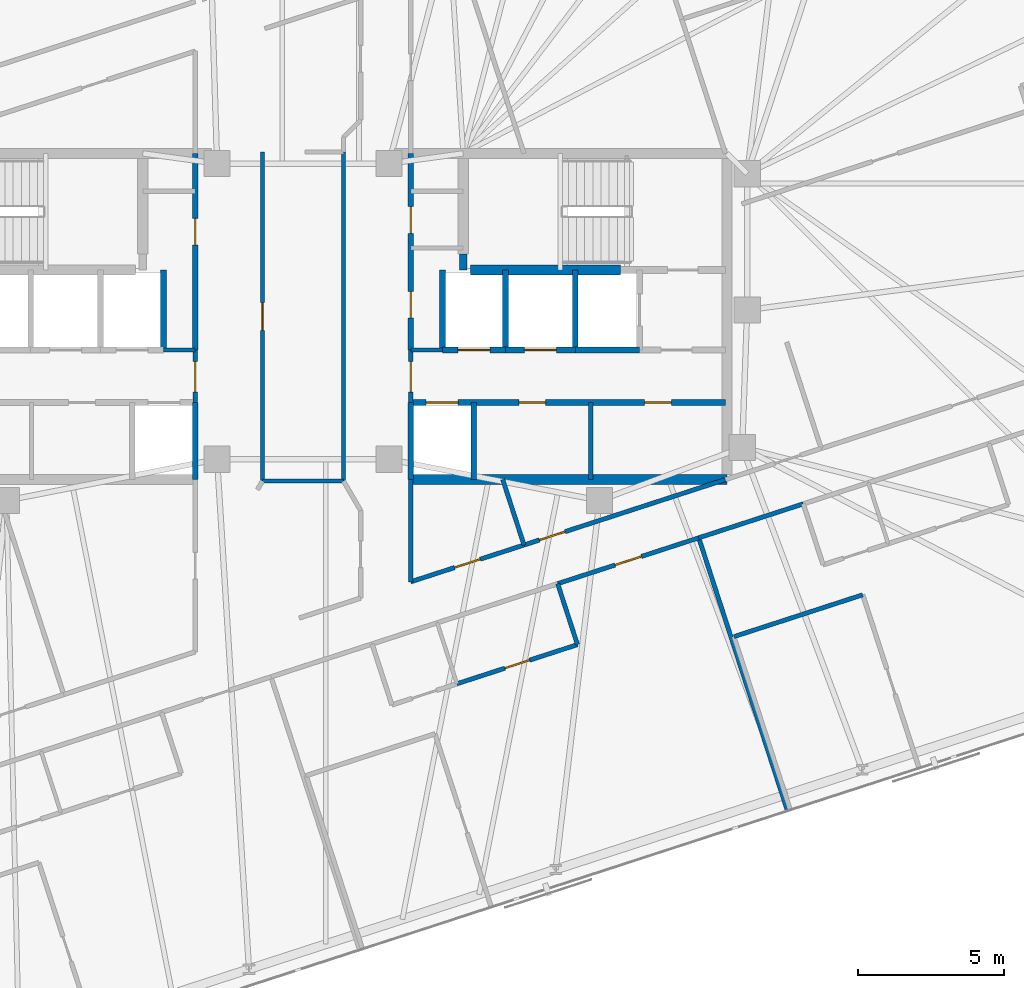
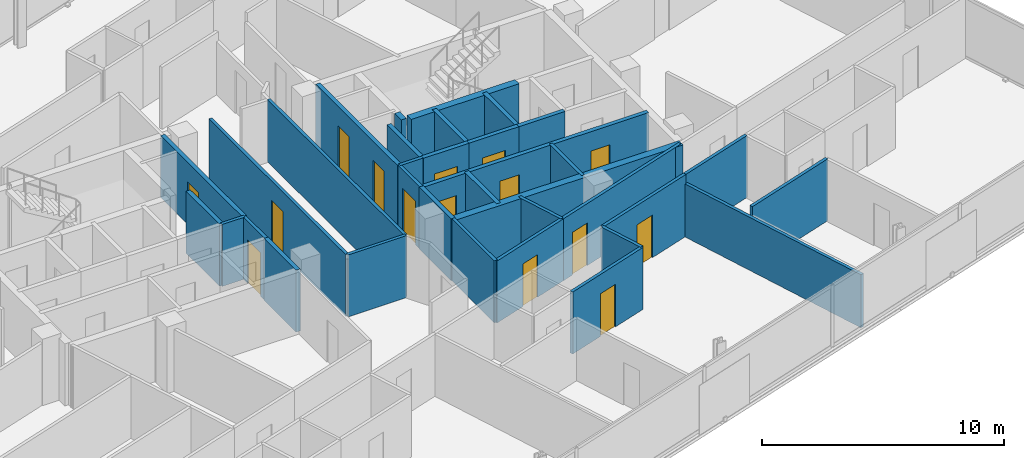
# One storey, part 15 of 19: 34 walls, 15 doors, 15 openings.
"""IFC4 building model written with IfcOpenShell, lengths in metres."""

from ifc_helpers import new_model, si_unit, direction, frame, frame_2d, origin, place, context, subcontext, project, spatial, rectangle, extrude, material, layer, layer_set, type_object, element, fill, save


model = new_model("IFC4")

# Units and contexts
model_context = context("Model", 3, precision=1e-05, world=origin(), true_north=direction((0.0, 1.0)))
body_context = subcontext(model_context, "Body", "Model", "MODEL_VIEW")
ifc_project = project(units=[si_unit("LENGTHUNIT", "METRE"), si_unit("AREAUNIT", "SQUARE_METRE"), si_unit("VOLUMEUNIT", "CUBIC_METRE"), si_unit("PLANEANGLEUNIT", "RADIAN"), si_unit("MASSUNIT", "GRAM", prefix="KILO")], contexts=[model_context])

# Site, building, storey
site_placement = place(None, origin())
site = spatial("IfcSite", under=ifc_project, at=site_placement, CompositionType="ELEMENT")
building_placement = place(site_placement, origin())
building = spatial("IfcBuilding", under=site, at=building_placement, Name="Menara Jurai Vektor", CompositionType="ELEMENT")
storey_placement = place(building_placement, frame((0.0, 0.0, 241.050048828125)))
storey = spatial("IfcBuildingStorey", under=building, at=storey_placement, Name="L64", CompositionType="ELEMENT", Elevation=241.050048828125)

# Walls
ifc_material_1 = material(Name="Concrete C40/50", Category="concrete")
ifc_layer_1 = layer(ifc_material_1, 0.25)
ifc_layer_set_1 = layer_set([ifc_layer_1], Name="Concrete C40/50")
wall_type_1 = type_object("IfcWallType", Name="INT-WALL-CORE-250", PredefinedType="STANDARD", material=ifc_layer_set_1)
wall_1_placement = place(storey_placement, frame((5.5, 1.60009765625, 0.0), z_axis=(0.0, 0.0, 1.0), x_axis=(0.0, 1.0, 0.0)))
element("IfcWall", 1, at=wall_1_placement, inside=storey, type_object=wall_type_1, Name="Interior Wall IW-250 L64", PredefinedType="STANDARD", context=body_context, shape_type="SweptSolid", body=[
    extrude(rectangle(XDim=0.5498046875, YDim=0.25, at=frame_2d((0.27490234375, 0.0))), origin(), (0.0, 0.0, 1.0), 3.125),
])
wall_2_placement = place(storey_placement, frame((9.35009765625, -1.14990234375, 0.0), z_axis=(0.0, 0.0, 1.0), x_axis=(0.0, 1.0, 0.0)))
element("IfcWall", 2, at=wall_2_placement, inside=storey, type_object=wall_type_1, Name="Interior Wall IW-250 L64", PredefinedType="STANDARD", context=body_context, shape_type="SweptSolid", body=[
    extrude(rectangle(XDim=2.75, YDim=0.199951171875, at=frame_2d((1.375, 0.0))), origin(), (0.0, 0.0, 1.0), 3.125),
])
wall_3_placement = place(storey_placement, frame((9.35009765625, -1.14990234375, 0.0), z_axis=(0.0, 0.0, 1.0), x_axis=(1.0, 0.0, 0.0)))
element("IfcWall", 3, at=wall_3_placement, inside=storey, type_object=wall_type_1, Name="Interior Wall IW-250 L64", PredefinedType="STANDARD", context=body_context, shape_type="SweptSolid", body=[
    extrude(rectangle(XDim=2.199951171875, YDim=0.199951171875, at=frame_2d((1.10009765625, 0.0))), origin(), (0.0, 0.0, 1.0), 3.125),
])

# Wall, opening, door
ifc_material_2 = material(Name="Gypsum Fireboard Partition", Category="gypsum")
ifc_layer_2 = layer(ifc_material_2, 0.14990234375)
ifc_layer_set_2 = layer_set([ifc_layer_2], Name="Gypsum Fireboard Partition")
wall_type_2 = type_object("IfcWallType", Name="INT-WALL-CORR-150", PredefinedType="PARTITIONING", material=ifc_layer_set_2)
wall_4_placement = place(storey_placement, frame((-3.699951171875, -2.949951171875, 0.0), z_axis=(0.0, 0.0, 1.0), x_axis=(0.0, 1.0, 0.0)))
wall_4 = element("IfcWall", 4, at=wall_4_placement, inside=storey, type_object=wall_type_2, Name="Interior Wall IW-150 L64", PredefinedType="PARTITIONING", context=body_context, shape_type="SweptSolid", body=[
    extrude(rectangle(XDim=1.800048828125, YDim=0.14990234375, at=frame_2d((0.89990234375, 0.0))), origin(), (0.0, 0.0, 1.0), 3.125),
])
opening_1_placement = place(wall_4_placement, frame((0.35009765625, 0.0, 0.0)))
opening_1 = element("IfcOpeningElement", 5, at=opening_1_placement, cuts=wall_4, Name="Opening D-L64-LLW", PredefinedType="OPENING", context=body_context, shape_type="SweptSolid", body=[
    extrude(rectangle(XDim=1.050048828125, YDim=2.179931640625, at=frame_2d((0.52490234375, 1.08984375))), frame((0.0, 0.0849609375, 0.0), z_axis=(0.0, -1.0, 0.0), x_axis=(1.0, 0.0, 0.0)), (0.0, 0.0, 1.0), 0.169921875),
])
ifc_material_3 = material(Name="Fire-Rated Timber Door", Category="wood")
door_type_1 = type_object("IfcDoorType", Name="DR-LOBBY-1050", OperationType="NOTDEFINED", PredefinedType="DOOR", material=ifc_material_3)
door_1_placement = place(opening_1_placement, origin())
door_1 = element("IfcDoor", 6, at=door_1_placement, inside=storey, type_object=door_type_1, Name="Lift Lobby Corridor Door W L64", OperationType="SINGLE_SWING_LEFT", OverallHeight=2.179931640625, OverallWidth=1.050048828125, PredefinedType="DOOR", context=body_context, shape_type="SweptSolid", body=[
    extrude(rectangle(XDim=1.050048828125, YDim=2.179931640625, at=frame_2d((0.52490234375, 1.08984375))), frame((0.0, 0.02490234375, 0.0), z_axis=(0.0, -1.0, 0.0), x_axis=(1.0, 0.0, 0.0)), (0.0, 0.0, 1.0), 0.050048828125),
])
fill(opening_1, door_1)

# Wall
wall_5_placement = place(storey_placement, frame((-4.7900390625, -1.14990234375, 0.0), z_axis=(0.0, 0.0, 1.0), x_axis=(1.0, 0.0, 0.0)))
element("IfcWall", 7, at=wall_5_placement, inside=storey, type_object=wall_type_2, Name="Interior Wall IW-150 L64", PredefinedType="PARTITIONING", context=body_context, shape_type="SweptSolid", body=[
    extrude(rectangle(XDim=1.090087890625, YDim=0.14990234375, at=frame_2d((0.544921875, 0.0))), origin(), (0.0, 0.0, 1.0), 3.125),
])

# Wall, opening, door
wall_6_placement = place(storey_placement, frame((3.699951171875, -2.949951171875, 0.0), z_axis=(0.0, 0.0, 1.0), x_axis=(0.0, 1.0, 0.0)))
wall_6 = element("IfcWall", 8, at=wall_6_placement, inside=storey, type_object=wall_type_2, Name="Interior Wall IW-150 L64", PredefinedType="PARTITIONING", context=body_context, shape_type="SweptSolid", body=[
    extrude(rectangle(XDim=1.800048828125, YDim=0.14990234375, at=frame_2d((0.89990234375, 0.0))), origin(), (0.0, 0.0, 1.0), 3.125),
])
opening_2_placement = place(wall_6_placement, frame((0.35009765625, 0.0, 0.0)))
opening_2 = element("IfcOpeningElement", 9, at=opening_2_placement, cuts=wall_6, Name="Opening D-L64-LLE", PredefinedType="OPENING", context=body_context, shape_type="SweptSolid", body=[
    extrude(rectangle(XDim=1.050048828125, YDim=2.179931640625, at=frame_2d((0.52490234375, 1.08984375))), frame((0.0, 0.0849609375, 0.0), z_axis=(0.0, -1.0, 0.0), x_axis=(1.0, 0.0, 0.0)), (0.0, 0.0, 1.0), 0.169921875),
])
door_2_placement = place(opening_2_placement, frame((1.050048828125, 0.0, 0.0), z_axis=(0.0, 0.0, 1.0), x_axis=(-1.0, 0.0, 0.0)))
door_2 = element("IfcDoor", 10, at=door_2_placement, inside=storey, type_object=door_type_1, Name="Lift Lobby Corridor Door E L64", OperationType="SINGLE_SWING_RIGHT", OverallHeight=2.179931640625, OverallWidth=1.050048828125, PredefinedType="DOOR", context=body_context, shape_type="SweptSolid", body=[
    extrude(rectangle(XDim=1.050048828125, YDim=2.179931640625, at=frame_2d((0.52490234375, 1.08984375))), frame((0.0, 0.02490234375, 0.0), z_axis=(0.0, -1.0, 0.0), x_axis=(1.0, 0.0, 0.0)), (0.0, 0.0, 1.0), 0.050048828125),
])
fill(opening_2, door_2)

# Walls
wall_7_placement = place(storey_placement, frame((3.699951171875, -1.14990234375, 0.0), z_axis=(0.0, 0.0, 1.0), x_axis=(1.0, 0.0, 0.0)))
element("IfcWall", 11, at=wall_7_placement, inside=storey, type_object=wall_type_2, Name="Interior Wall IW-150 L64", PredefinedType="PARTITIONING", context=body_context, shape_type="SweptSolid", body=[
    extrude(rectangle(XDim=1.090087890625, YDim=0.14990234375, at=frame_2d((0.544921875, 0.0))), origin(), (0.0, 0.0, 1.0), 3.125),
])
wall_8_placement = place(storey_placement, frame((9.8798828125, -5.60009765625, 0.0), z_axis=(0.0, 0.0, 1.0), x_axis=(0.0, 1.0, 0.0)))
element("IfcWall", 12, at=wall_8_placement, inside=storey, type_object=wall_type_2, Name="Interior Wall IW-150 L64", PredefinedType="PARTITIONING", context=body_context, shape_type="SweptSolid", body=[
    extrude(rectangle(XDim=2.650146484375, YDim=0.14990234375, at=frame_2d((1.3251953125, 0.0))), origin(), (0.0, 0.0, 1.0), 3.125),
])

# Wall, opening, door
wall_9_placement = place(storey_placement, frame((-1.390625, -5.650146484375, 0.0), z_axis=(0.0, 0.0, 1.0), x_axis=(-8.6422954e-05, 0.999999996266, 0.0)))
wall_9 = element("IfcWall", 13, at=wall_9_placement, inside=storey, type_object=wall_type_2, Name="Interior Wall IW-150 L64", PredefinedType="PARTITIONING", context=body_context, shape_type="SweptSolid", body=[
    extrude(rectangle(XDim=11.2998046875, YDim=0.14990234375, at=frame_2d((5.64990234375, 0.0))), origin(), (0.0, 0.0, 1.0), 3.125),
])
opening_3_placement = place(wall_9_placement, frame((5.1748046875, 0.0, 0.0)))
opening_3 = element("IfcOpeningElement", 14, at=opening_3_placement, cuts=wall_9, Name="Opening D64-08", PredefinedType="OPENING", context=body_context, shape_type="SweptSolid", body=[
    extrude(rectangle(XDim=0.949951171875, YDim=2.14990234375, at=frame_2d((0.47509765625, 1.074951171875))), frame((0.0, 0.0849609375, 0.0), z_axis=(0.0, -1.0, 0.0), x_axis=(1.0, 0.0, 0.0)), (0.0, 0.0, 1.0), 0.169921875),
])
ifc_material_4 = material(Name="Solid Core Timber Fire Door", Category="wood")
door_type_2 = type_object("IfcDoorType", Name="DR-ENTRY-950", OperationType="NOTDEFINED", PredefinedType="DOOR", material=ifc_material_4)
door_3_placement = place(opening_3_placement, origin())
door_3 = element("IfcDoor", 15, at=door_3_placement, inside=storey, type_object=door_type_2, Name="Interior Door D64-08", OperationType="SINGLE_SWING_LEFT", OverallHeight=2.14990234375, OverallWidth=0.949951171875, PredefinedType="DOOR", context=body_context, shape_type="SweptSolid", body=[
    extrude(rectangle(XDim=0.949951171875, YDim=2.14990234375, at=frame_2d((0.47509765625, 1.074951171875))), frame((0.0, 0.02490234375, 0.0), z_axis=(0.0, -1.0, 0.0), x_axis=(1.0, 0.0, 0.0)), (0.0, 0.0, 1.0), 0.050048828125),
])
fill(opening_3, door_3)

# Wall
wall_10_placement = place(storey_placement, frame((1.39111328125, -5.6484375, 0.0), z_axis=(0.0, 0.0, 1.0), x_axis=(-4.3218947e-05, 0.999999999066, 0.0)))
element("IfcWall", 16, at=wall_10_placement, inside=storey, type_object=wall_type_2, Name="Interior Wall IW-150 L64", PredefinedType="PARTITIONING", context=body_context, shape_type="SweptSolid", body=[
    extrude(rectangle(XDim=11.2978515625, YDim=0.14990234375, at=frame_2d((5.64892578125, 0.0))), origin(), (0.0, 0.0, 1.0), 3.125),
])

# Wall, opening, door
wall_11_placement = place(storey_placement, frame((8.744140625, -9.173828125, 0.0), z_axis=(0.0, 0.0, 1.0), x_axis=(0.95105238152, 0.309029719615, 0.0)))
wall_11 = element("IfcWall", 17, at=wall_11_placement, inside=storey, type_object=wall_type_2, Name="Interior Wall IW-150 L64", PredefinedType="PARTITIONING", context=body_context, shape_type="SweptSolid", body=[
    extrude(rectangle(XDim=5.093994140625, YDim=0.14990234375, at=frame_2d((2.546875, 0.0))), origin(), (0.0, 0.0, 1.0), 3.125),
])
opening_4_placement = place(wall_11_placement, frame((2.072021484375, 0.0, 0.0)))
opening_4 = element("IfcOpeningElement", 18, at=opening_4_placement, cuts=wall_11, Name="Opening D64-25", PredefinedType="OPENING", context=body_context, shape_type="SweptSolid", body=[
    extrude(rectangle(XDim=0.949951171875, YDim=2.14990234375, at=frame_2d((0.47509765625, 1.074951171875))), frame((0.0, 0.0849609375, 0.0), z_axis=(0.0, -1.0, 0.0), x_axis=(1.0, 0.0, 0.0)), (0.0, 0.0, 1.0), 0.169921875),
])
door_4_placement = place(opening_4_placement, origin())
door_4 = element("IfcDoor", 19, at=door_4_placement, inside=storey, type_object=door_type_2, Name="Interior Door D64-25", OperationType="SINGLE_SWING_RIGHT", OverallHeight=2.14990234375, OverallWidth=0.949951171875, PredefinedType="DOOR", context=body_context, shape_type="SweptSolid", body=[
    extrude(rectangle(XDim=0.949951171875, YDim=2.14990234375, at=frame_2d((0.47509765625, 1.074951171875))), frame((0.0, 0.02490234375, 0.0), z_axis=(0.0, -1.0, 0.0), x_axis=(1.0, 0.0, 0.0)), (0.0, 0.0, 1.0), 0.050048828125),
])
fill(opening_4, door_4)

# Walls
wall_12_placement = place(storey_placement, frame((13.5888671875, -7.599609375, 0.0), z_axis=(0.0, 0.0, 1.0), x_axis=(0.95105023481, 0.30903632613, 0.0)))
element("IfcWall", 20, at=wall_12_placement, inside=storey, type_object=wall_type_2, Name="Interior Wall IW-150 L64", PredefinedType="PARTITIONING", context=body_context, shape_type="SweptSolid", body=[
    extrude(rectangle(XDim=3.77294921875, YDim=0.14990234375, at=frame_2d((1.886474609375, 0.0))), origin(), (0.0, 0.0, 1.0), 3.125),
])
wall_13_placement = place(storey_placement, frame((3.700439453125, -9.109130859375, 0.0), z_axis=(0.0, 0.0, 1.0), x_axis=(-0.000139130433, 0.999999990321, 0.0)))
element("IfcWall", 21, at=wall_13_placement, inside=storey, type_object=wall_type_2, Name="Interior Wall IW-150 L64", PredefinedType="PARTITIONING", context=body_context, shape_type="SweptSolid", body=[
    extrude(rectangle(XDim=3.509521484375, YDim=0.14990234375, at=frame_2d((1.7548828125, 0.0))), origin(), (0.0, 0.0, 1.0), 3.125),
])

# Wall, opening, door
wall_14_placement = place(storey_placement, frame((3.700439453125, -9.109130859375, 0.0), z_axis=(0.0, 0.0, 1.0), x_axis=(0.95106259184, 0.308998295145, 0.0)))
wall_14 = element("IfcWall", 22, at=wall_14_placement, inside=storey, type_object=wall_type_2, Name="Interior Wall IW-150 L64", PredefinedType="PARTITIONING", context=body_context, shape_type="SweptSolid", body=[
    extrude(rectangle(XDim=4.087890625, YDim=0.14990234375, at=frame_2d((2.0439453125, 0.0))), origin(), (0.0, 0.0, 1.0), 3.125),
])
opening_5_placement = place(wall_14_placement, frame((1.583984375, 0.0, 0.0)))
opening_5 = element("IfcOpeningElement", 23, at=opening_5_placement, cuts=wall_14, Name="Opening D64-38", PredefinedType="OPENING", context=body_context, shape_type="SweptSolid", body=[
    extrude(rectangle(XDim=0.919921875, YDim=2.14990234375, at=frame_2d((0.4599609375, 1.074951171875))), frame((0.0, 0.0849609375, 0.0), z_axis=(0.0, -1.0, 0.0), x_axis=(1.0, 0.0, 0.0)), (0.0, 0.0, 1.0), 0.169921875),
])
door_5_placement = place(opening_5_placement, origin())
door_5 = element("IfcDoor", 24, at=door_5_placement, inside=storey, type_object=door_type_2, Name="Interior Door D64-38", OperationType="SINGLE_SWING_LEFT", OverallHeight=2.14990234375, OverallWidth=0.919921875, PredefinedType="DOOR", context=body_context, shape_type="SweptSolid", body=[
    extrude(rectangle(XDim=0.919921875, YDim=2.14990234375, at=frame_2d((0.4599609375, 1.074951171875))), frame((0.0, 0.02490234375, 0.0), z_axis=(0.0, -1.0, 0.0), x_axis=(1.0, 0.0, 0.0)), (0.0, 0.0, 1.0), 0.050048828125),
])
fill(opening_5, door_5)

wall_15_placement = place(storey_placement, frame((7.58837890625, -7.845947265625, 0.0), z_axis=(0.0, 0.0, 1.0), x_axis=(0.951058013903, 0.309012385174, 0.0)))
wall_15 = element("IfcWall", 25, at=wall_15_placement, inside=storey, type_object=wall_type_2, Name="Interior Wall IW-150 L64", PredefinedType="PARTITIONING", context=body_context, shape_type="SweptSolid", body=[
    extrude(rectangle(XDim=7.26708984375, YDim=0.14990234375, at=frame_2d((3.633544921875, 0.0))), origin(), (0.0, 0.0, 1.0), 3.125),
])
opening_6_placement = place(wall_15_placement, frame((0.557373046875, 0.0, 0.0)))
opening_6 = element("IfcOpeningElement", 26, at=opening_6_placement, cuts=wall_15, Name="Opening D64-39", PredefinedType="OPENING", context=body_context, shape_type="SweptSolid", body=[
    extrude(rectangle(XDim=0.919921875, YDim=2.14990234375, at=frame_2d((0.4599609375, 1.074951171875))), frame((0.0, 0.0849609375, 0.0), z_axis=(0.0, -1.0, 0.0), x_axis=(1.0, 0.0, 0.0)), (0.0, 0.0, 1.0), 0.169921875),
])
door_6_placement = place(opening_6_placement, origin())
door_6 = element("IfcDoor", 27, at=door_6_placement, inside=storey, type_object=door_type_2, Name="Interior Door D64-39", OperationType="SINGLE_SWING_RIGHT", OverallHeight=2.14990234375, OverallWidth=0.919921875, PredefinedType="DOOR", context=body_context, shape_type="SweptSolid", body=[
    extrude(rectangle(XDim=0.919921875, YDim=2.14990234375, at=frame_2d((0.4599609375, 1.074951171875))), frame((0.0, 0.02490234375, 0.0), z_axis=(0.0, -1.0, 0.0), x_axis=(1.0, 0.0, 0.0)), (0.0, 0.0, 1.0), 0.050048828125),
])
fill(opening_6, door_6)

# Wall
wall_16_placement = place(storey_placement, frame((-1.390625, -5.650146484375, 0.0), z_axis=(0.0, 0.0, 1.0), x_axis=(0.999999965344, 0.000263273356, 0.0)))
element("IfcWall", 28, at=wall_16_placement, inside=storey, type_object=wall_type_2, Name="Interior Wall IW-150 L64", PredefinedType="PARTITIONING", context=body_context, shape_type="SweptSolid", body=[
    extrude(rectangle(XDim=2.781982421875, YDim=0.14990234375, at=frame_2d((1.39111328125, 0.0))), origin(), (0.0, 0.0, 1.0), 3.125),
])

# Wall, opening, door
wall_17_placement = place(storey_placement, frame((5.287109375, -12.6103515625, 0.0), z_axis=(0.0, 0.0, 1.0), x_axis=(0.951052627573, 0.309028962374, 0.0)))
wall_17 = element("IfcWall", 29, at=wall_17_placement, inside=storey, type_object=wall_type_2, Name="Interior Wall IW-150 L64", PredefinedType="PARTITIONING", context=body_context, shape_type="SweptSolid", body=[
    extrude(rectangle(XDim=4.349853515625, YDim=0.14990234375, at=frame_2d((2.1748046875, 0.0))), origin(), (0.0, 0.0, 1.0), 3.125),
])
opening_7_placement = place(wall_17_placement, frame((1.72509765625, 0.0, 0.0)))
opening_7 = element("IfcOpeningElement", 30, at=opening_7_placement, cuts=wall_17, Name="Opening D64-27", PredefinedType="OPENING", context=body_context, shape_type="SweptSolid", body=[
    extrude(rectangle(XDim=0.89990234375, YDim=2.14990234375, at=frame_2d((0.449951171875, 1.074951171875))), frame((0.0, 0.0849609375, 0.0), z_axis=(0.0, -1.0, 0.0), x_axis=(1.0, 0.0, 0.0)), (0.0, 0.0, 1.0), 0.169921875),
])
ifc_material_5 = material(Name="Acoustic Timber Interior Door", Category="wood")
door_type_3 = type_object("IfcDoorType", Name="DR-ROOM-900", OperationType="NOTDEFINED", PredefinedType="DOOR", material=ifc_material_5)
door_7_placement = place(opening_7_placement, origin())
door_7 = element("IfcDoor", 31, at=door_7_placement, inside=storey, type_object=door_type_3, Name="Interior Door D64-27", OperationType="SINGLE_SWING_RIGHT", OverallHeight=2.14990234375, OverallWidth=0.89990234375, PredefinedType="DOOR", context=body_context, shape_type="SweptSolid", body=[
    extrude(rectangle(XDim=0.89990234375, YDim=2.14990234375, at=frame_2d((0.449951171875, 1.074951171875))), frame((0.0, 0.02490234375, 0.0), z_axis=(0.0, -1.0, 0.0), x_axis=(1.0, 0.0, 0.0)), (0.0, 0.0, 1.0), 0.050048828125),
])
fill(opening_7, door_7)

# Walls
wall_18_placement = place(storey_placement, frame((9.424072265625, -11.26611328125, 0.0), z_axis=(0.0, 0.0, 1.0), x_axis=(-0.309060979314, 0.951042223598, 0.0)))
element("IfcWall", 32, at=wall_18_placement, inside=storey, type_object=wall_type_2, Name="Interior Wall IW-150 L64", PredefinedType="PARTITIONING", context=body_context, shape_type="SweptSolid", body=[
    extrude(rectangle(XDim=2.199951171875, YDim=0.14990234375, at=frame_2d((1.10009765625, 0.0))), origin(), (0.0, 0.0, 1.0), 3.125),
])
wall_19_placement = place(storey_placement, frame((14.79638671875, -10.992431640625, 0.0), z_axis=(0.0, 0.0, 1.0), x_axis=(0.951070715387, 0.308973290646, 0.0)))
element("IfcWall", 33, at=wall_19_placement, inside=storey, type_object=wall_type_2, Name="Interior Wall IW-150 L64", PredefinedType="PARTITIONING", context=body_context, shape_type="SweptSolid", body=[
    extrude(rectangle(XDim=4.650146484375, YDim=0.14990234375, at=frame_2d((2.3251953125, 0.0))), origin(), (0.0, 0.0, 1.0), 3.125),
])
wall_20_placement = place(storey_placement, frame((7.58837890625, -7.845947265625, 0.0), z_axis=(0.0, 0.0, 1.0), x_axis=(-0.309055688452, 0.951043942957, 0.0)))
element("IfcWall", 34, at=wall_20_placement, inside=storey, type_object=wall_type_2, Name="Interior Wall IW-150 L64", PredefinedType="PARTITIONING", context=body_context, shape_type="SweptSolid", body=[
    extrude(rectangle(XDim=2.362060546875, YDim=0.14990234375, at=frame_2d((1.18115234375, 0.0))), origin(), (0.0, 0.0, 1.0), 3.125),
])
ifc_layer_3 = layer(ifc_material_2, 0.14990234375)
ifc_layer_set_3 = layer_set([ifc_layer_3], Name="Gypsum Fireboard Partition")
wall_type_3 = type_object("IfcWallType", Name="INT-WALL-CORR-150-H1", PredefinedType="PARTITIONING", material=ifc_layer_set_3)
wall_21_placement = place(storey_placement, frame((16.636474609375, -16.97900390625, 0.0), z_axis=(0.0, 0.0, 1.0), x_axis=(-0.309022258842, 0.95105480575, 0.0)))
element("IfcWall", 35, at=wall_21_placement, inside=storey, type_object=wall_type_3, Name="Interior Wall IW-150 L64", PredefinedType="PARTITIONING", context=body_context, shape_type="SweptSolid", body=[
    extrude(rectangle(XDim=9.862060546875, YDim=0.14990234375, at=frame_2d((4.93115234375, 0.0))), origin(), (0.0, 0.0, 1.0), 2.675048828125),
])

# Wall, opening, door
ifc_layer_4 = layer(ifc_material_1, 0.199951171875)
ifc_layer_set_4 = layer_set([ifc_layer_4], Name="Concrete C40/50")
wall_type_4 = type_object("IfcWallType", Name="INT-WALL-SHAFT-200", PredefinedType="STANDARD", material=ifc_layer_set_4)
wall_22_placement = place(storey_placement, frame((-3.699951171875, -1.14990234375, 0.0), z_axis=(0.0, 0.0, 1.0), x_axis=(0.0, 1.0, 0.0)))
wall_22 = element("IfcWall", 36, at=wall_22_placement, inside=storey, type_object=wall_type_4, Name="Interior Wall IW-200 L64", PredefinedType="STANDARD", context=body_context, shape_type="SweptSolid", body=[
    extrude(rectangle(XDim=6.75, YDim=0.199951171875, at=frame_2d((3.375, 0.0))), origin(), (0.0, 0.0, 1.0), 3.125),
])
opening_8_placement = place(wall_22_placement, frame((3.60009765625, 0.0, 0.0)))
opening_8 = element("IfcOpeningElement", 37, at=opening_8_placement, cuts=wall_22, Name="Opening D64-03", PredefinedType="OPENING", context=body_context, shape_type="SweptSolid", body=[
    extrude(rectangle(XDim=0.919921875, YDim=2.14990234375, at=frame_2d((0.4599609375, 1.074951171875))), frame((0.0, 0.10986328125, 0.0), z_axis=(0.0, -1.0, 0.0), x_axis=(1.0, 0.0, 0.0)), (0.0, 0.0, 1.0), 0.219970703125),
])
door_8_placement = place(opening_8_placement, origin())
door_8 = element("IfcDoor", 38, at=door_8_placement, inside=storey, type_object=door_type_2, Name="Interior Door D64-03", OperationType="SINGLE_SWING_LEFT", OverallHeight=2.14990234375, OverallWidth=0.919921875, PredefinedType="DOOR", context=body_context, shape_type="SweptSolid", body=[
    extrude(rectangle(XDim=0.919921875, YDim=2.14990234375, at=frame_2d((0.4599609375, 1.074951171875))), frame((0.0, 0.02490234375, 0.0), z_axis=(0.0, -1.0, 0.0), x_axis=(1.0, 0.0, 0.0)), (0.0, 0.0, 1.0), 0.050048828125),
])
fill(opening_8, door_8)

# Walls
wall_23_placement = place(storey_placement, frame((-3.699951171875, -5.60009765625, 0.0), z_axis=(0.0, 0.0, 1.0), x_axis=(0.0, 1.0, 0.0)))
element("IfcWall", 39, at=wall_23_placement, inside=storey, type_object=wall_type_4, Name="Interior Wall IW-200 L64", PredefinedType="STANDARD", context=body_context, shape_type="SweptSolid", body=[
    extrude(rectangle(XDim=2.650146484375, YDim=0.199951171875, at=frame_2d((1.3251953125, 0.0))), origin(), (0.0, 0.0, 1.0), 3.125),
])
wall_24_placement = place(storey_placement, frame((-4.7900390625, -1.14990234375, 0.0), z_axis=(0.0, 0.0, 1.0), x_axis=(0.0, 1.0, 0.0)))
element("IfcWall", 40, at=wall_24_placement, inside=storey, type_object=wall_type_4, Name="Interior Wall IW-200 L64", PredefinedType="STANDARD", context=body_context, shape_type="SweptSolid", body=[
    extrude(rectangle(XDim=2.75, YDim=0.199951171875, at=frame_2d((1.375, 0.0))), origin(), (0.0, 0.0, 1.0), 3.125),
])

# Wall, openings, doors
wall_25_placement = place(storey_placement, frame((3.699951171875, -1.14990234375, 0.0), z_axis=(0.0, 0.0, 1.0), x_axis=(0.0, 1.0, 0.0)))
wall_25 = element("IfcWall", 41, at=wall_25_placement, inside=storey, type_object=wall_type_4, Name="Interior Wall IW-200 L64", PredefinedType="STANDARD", context=body_context, shape_type="SweptSolid", body=[
    extrude(rectangle(XDim=6.75, YDim=0.199951171875, at=frame_2d((3.375, 0.0))), origin(), (0.0, 0.0, 1.0), 3.125),
])
opening_9_placement = place(wall_25_placement, frame((1.10009765625, 0.0, 0.0)))
opening_9 = element("IfcOpeningElement", 42, at=opening_9_placement, cuts=wall_25, Name="Opening D64-06", PredefinedType="OPENING", context=body_context, shape_type="SweptSolid", body=[
    extrude(rectangle(XDim=0.89990234375, YDim=2.14990234375, at=frame_2d((0.449951171875, 1.074951171875))), frame((0.0, 0.10986328125, 0.0), z_axis=(0.0, -1.0, 0.0), x_axis=(1.0, 0.0, 0.0)), (0.0, 0.0, 1.0), 0.219970703125),
])
opening_10_placement = place(wall_25_placement, frame((4.0, 0.0, 0.0)))
opening_10 = element("IfcOpeningElement", 43, at=opening_10_placement, cuts=wall_25, Name="Opening D64-07", PredefinedType="OPENING", context=body_context, shape_type="SweptSolid", body=[
    extrude(rectangle(XDim=0.919921875, YDim=2.14990234375, at=frame_2d((0.4599609375, 1.074951171875))), frame((0.0, 0.10986328125, 0.0), z_axis=(0.0, -1.0, 0.0), x_axis=(1.0, 0.0, 0.0)), (0.0, 0.0, 1.0), 0.219970703125),
])
door_9_placement = place(opening_9_placement, origin())
door_9 = element("IfcDoor", 44, at=door_9_placement, inside=storey, type_object=door_type_2, Name="Interior Door D64-06", OperationType="SINGLE_SWING_RIGHT", OverallHeight=2.14990234375, OverallWidth=0.89990234375, PredefinedType="DOOR", context=body_context, shape_type="SweptSolid", body=[
    extrude(rectangle(XDim=0.89990234375, YDim=2.14990234375, at=frame_2d((0.449951171875, 1.074951171875))), frame((0.0, 0.02490234375, 0.0), z_axis=(0.0, -1.0, 0.0), x_axis=(1.0, 0.0, 0.0)), (0.0, 0.0, 1.0), 0.050048828125),
])
fill(opening_9, door_9)
door_10_placement = place(opening_10_placement, origin())
door_10 = element("IfcDoor", 45, at=door_10_placement, inside=storey, type_object=door_type_2, Name="Interior Door D64-07", OperationType="SINGLE_SWING_RIGHT", OverallHeight=2.14990234375, OverallWidth=0.919921875, PredefinedType="DOOR", context=body_context, shape_type="SweptSolid", body=[
    extrude(rectangle(XDim=0.919921875, YDim=2.14990234375, at=frame_2d((0.4599609375, 1.074951171875))), frame((0.0, 0.02490234375, 0.0), z_axis=(0.0, -1.0, 0.0), x_axis=(1.0, 0.0, 0.0)), (0.0, 0.0, 1.0), 0.050048828125),
])
fill(opening_10, door_10)

# Walls
wall_26_placement = place(storey_placement, frame((3.699951171875, -5.60009765625, 0.0), z_axis=(0.0, 0.0, 1.0), x_axis=(0.0, 1.0, 0.0)))
element("IfcWall", 46, at=wall_26_placement, inside=storey, type_object=wall_type_4, Name="Interior Wall IW-200 L64", PredefinedType="STANDARD", context=body_context, shape_type="SweptSolid", body=[
    extrude(rectangle(XDim=2.650146484375, YDim=0.199951171875, at=frame_2d((1.3251953125, 0.0))), origin(), (0.0, 0.0, 1.0), 3.125),
])
wall_27_placement = place(storey_placement, frame((6.949951171875, -1.14990234375, 0.0), z_axis=(0.0, 0.0, 1.0), x_axis=(0.0, 1.0, 0.0)))
element("IfcWall", 47, at=wall_27_placement, inside=storey, type_object=wall_type_4, Name="Interior Wall IW-200 L64", PredefinedType="STANDARD", context=body_context, shape_type="SweptSolid", body=[
    extrude(rectangle(XDim=2.75, YDim=0.199951171875, at=frame_2d((1.375, 0.0))), origin(), (0.0, 0.0, 1.0), 3.125),
])

# Wall, opening, door
wall_28_placement = place(storey_placement, frame((6.949951171875, -1.14990234375, 0.0), z_axis=(0.0, 0.0, 1.0), x_axis=(1.0, 0.0, 0.0)))
wall_28 = element("IfcWall", 48, at=wall_28_placement, inside=storey, type_object=wall_type_4, Name="Interior Wall IW-200 L64", PredefinedType="STANDARD", context=body_context, shape_type="SweptSolid", body=[
    extrude(rectangle(XDim=2.400146484375, YDim=0.199951171875, at=frame_2d((1.2001953125, 0.0))), origin(), (0.0, 0.0, 1.0), 3.125),
])
opening_11_placement = place(wall_28_placement, frame((0.64990234375, 0.0, 0.0)))
opening_11 = element("IfcOpeningElement", 49, at=opening_11_placement, cuts=wall_28, Name="Opening LD-L64-SVL2", PredefinedType="OPENING", context=body_context, shape_type="SweptSolid", body=[
    extrude(rectangle(XDim=1.10009765625, YDim=2.14990234375, at=frame_2d((0.550048828125, 1.074951171875))), frame((0.0, 0.10986328125, 0.0), z_axis=(0.0, -1.0, 0.0), x_axis=(1.0, 0.0, 0.0)), (0.0, 0.0, 1.0), 0.219970703125),
])
ifc_material_6 = material(Name="Anodised Stainless Sliding Lift Landing Door", Category="steel")
door_type_4 = type_object("IfcDoorType", Name="DR-LIFT-PASS-1100", OperationType="NOTDEFINED", PredefinedType="DOOR", material=ifc_material_6)
door_11_placement = place(opening_11_placement, origin())
door_11 = element("IfcDoor", 50, at=door_11_placement, inside=storey, type_object=door_type_4, Name="Lift Landing Door SVL2 L64", OperationType="SLIDING_TO_RIGHT", OverallHeight=2.14990234375, OverallWidth=1.10009765625, PredefinedType="DOOR", context=body_context, shape_type="SweptSolid", body=[
    extrude(rectangle(XDim=1.10009765625, YDim=2.14990234375, at=frame_2d((0.550048828125, 1.074951171875))), frame((0.0, 0.02490234375, 0.0), z_axis=(0.0, -1.0, 0.0), x_axis=(1.0, 0.0, 0.0)), (0.0, 0.0, 1.0), 0.050048828125),
])
fill(opening_11, door_11)

# Wall
wall_29_placement = place(storey_placement, frame((4.7900390625, -1.14990234375, 0.0), z_axis=(0.0, 0.0, 1.0), x_axis=(0.0, 1.0, 0.0)))
element("IfcWall", 51, at=wall_29_placement, inside=storey, type_object=wall_type_4, Name="Interior Wall IW-200 L64", PredefinedType="STANDARD", context=body_context, shape_type="SweptSolid", body=[
    extrude(rectangle(XDim=2.75, YDim=0.199951171875, at=frame_2d((1.375, 0.0))), origin(), (0.0, 0.0, 1.0), 3.125),
])

# Wall, opening, door
wall_30_placement = place(storey_placement, frame((4.7900390625, -1.14990234375, 0.0), z_axis=(0.0, 0.0, 1.0), x_axis=(1.0, 0.0, 0.0)))
wall_30 = element("IfcWall", 52, at=wall_30_placement, inside=storey, type_object=wall_type_4, Name="Interior Wall IW-200 L64", PredefinedType="STANDARD", context=body_context, shape_type="SweptSolid", body=[
    extrude(rectangle(XDim=2.159912109375, YDim=0.199951171875, at=frame_2d((1.080078125, 0.0))), origin(), (0.0, 0.0, 1.0), 3.125),
])
opening_12_placement = place(wall_30_placement, frame((0.530029296875, 0.0, 0.0)))
opening_12 = element("IfcOpeningElement", 53, at=opening_12_placement, cuts=wall_30, Name="Opening LD-L64-PH4", PredefinedType="OPENING", context=body_context, shape_type="SweptSolid", body=[
    extrude(rectangle(XDim=1.10009765625, YDim=2.14990234375, at=frame_2d((0.550048828125, 1.074951171875))), frame((0.0, 0.10986328125, 0.0), z_axis=(0.0, -1.0, 0.0), x_axis=(1.0, 0.0, 0.0)), (0.0, 0.0, 1.0), 0.219970703125),
])
door_12_placement = place(opening_12_placement, origin())
door_12 = element("IfcDoor", 54, at=door_12_placement, inside=storey, type_object=door_type_4, Name="Lift Landing Door PH4 L64", OperationType="SLIDING_TO_LEFT", OverallHeight=2.14990234375, OverallWidth=1.10009765625, PredefinedType="DOOR", context=body_context, shape_type="SweptSolid", body=[
    extrude(rectangle(XDim=1.10009765625, YDim=2.14990234375, at=frame_2d((0.550048828125, 1.074951171875))), frame((0.0, 0.02490234375, 0.0), z_axis=(0.0, -1.0, 0.0), x_axis=(1.0, 0.0, 0.0)), (0.0, 0.0, 1.0), 0.050048828125),
])
fill(opening_12, door_12)

# Wall, openings, doors
wall_31_placement = place(storey_placement, frame((3.699951171875, -2.949951171875, 0.0), z_axis=(0.0, 0.0, 1.0), x_axis=(1.0, 0.0, 0.0)))
wall_31 = element("IfcWall", 55, at=wall_31_placement, inside=storey, type_object=wall_type_4, Name="Interior Wall IW-200 L64", PredefinedType="STANDARD", context=body_context, shape_type="SweptSolid", body=[
    extrude(rectangle(XDim=10.800048828125, YDim=0.199951171875, at=frame_2d((5.39990234375, 0.0))), origin(), (0.0, 0.0, 1.0), 3.125),
])
opening_13_placement = place(wall_31_placement, frame((0.530029296875, 0.0, 0.0)))
opening_13 = element("IfcOpeningElement", 56, at=opening_13_placement, cuts=wall_31, Name="Opening LD-L64-PH3", PredefinedType="OPENING", context=body_context, shape_type="SweptSolid", body=[
    extrude(rectangle(XDim=1.10009765625, YDim=2.14990234375, at=frame_2d((0.550048828125, 1.074951171875))), frame((0.0, 0.10986328125, 0.0), z_axis=(0.0, -1.0, 0.0), x_axis=(1.0, 0.0, 0.0)), (0.0, 0.0, 1.0), 0.219970703125),
])
opening_14_placement = place(wall_31_placement, frame((3.7099609375, 0.0, 0.0)))
opening_14 = element("IfcOpeningElement", 57, at=opening_14_placement, cuts=wall_31, Name="Opening D64-04", PredefinedType="OPENING", context=body_context, shape_type="SweptSolid", body=[
    extrude(rectangle(XDim=0.919921875, YDim=2.14990234375, at=frame_2d((0.4599609375, 1.074951171875))), frame((0.0, 0.10986328125, 0.0), z_axis=(0.0, -1.0, 0.0), x_axis=(1.0, 0.0, 0.0)), (0.0, 0.0, 1.0), 0.219970703125),
])
opening_15_placement = place(wall_31_placement, frame((8.030029296875, 0.0, 0.0)))
opening_15 = element("IfcOpeningElement", 58, at=opening_15_placement, cuts=wall_31, Name="Opening D64-05", PredefinedType="OPENING", context=body_context, shape_type="SweptSolid", body=[
    extrude(rectangle(XDim=0.919921875, YDim=2.14990234375, at=frame_2d((0.4599609375, 1.074951171875))), frame((0.0, 0.10986328125, 0.0), z_axis=(0.0, -1.0, 0.0), x_axis=(1.0, 0.0, 0.0)), (0.0, 0.0, 1.0), 0.219970703125),
])
door_13_placement = place(opening_14_placement, origin())
door_13 = element("IfcDoor", 59, at=door_13_placement, inside=storey, type_object=door_type_2, Name="Interior Door D64-04", OperationType="SINGLE_SWING_LEFT", OverallHeight=2.14990234375, OverallWidth=0.919921875, PredefinedType="DOOR", context=body_context, shape_type="SweptSolid", body=[
    extrude(rectangle(XDim=0.919921875, YDim=2.14990234375, at=frame_2d((0.4599609375, 1.074951171875))), frame((0.0, 0.02490234375, 0.0), z_axis=(0.0, -1.0, 0.0), x_axis=(1.0, 0.0, 0.0)), (0.0, 0.0, 1.0), 0.050048828125),
])
fill(opening_14, door_13)
door_14_placement = place(opening_15_placement, origin())
door_14 = element("IfcDoor", 60, at=door_14_placement, inside=storey, type_object=door_type_2, Name="Interior Door D64-05", OperationType="SINGLE_SWING_RIGHT", OverallHeight=2.14990234375, OverallWidth=0.919921875, PredefinedType="DOOR", context=body_context, shape_type="SweptSolid", body=[
    extrude(rectangle(XDim=0.919921875, YDim=2.14990234375, at=frame_2d((0.4599609375, 1.074951171875))), frame((0.0, 0.02490234375, 0.0), z_axis=(0.0, -1.0, 0.0), x_axis=(1.0, 0.0, 0.0)), (0.0, 0.0, 1.0), 0.050048828125),
])
fill(opening_15, door_14)
door_15_placement = place(opening_13_placement, origin())
door_15 = element("IfcDoor", 61, at=door_15_placement, inside=storey, type_object=door_type_4, Name="Lift Landing Door PH3 L64", OperationType="SLIDING_TO_RIGHT", OverallHeight=2.14990234375, OverallWidth=1.10009765625, PredefinedType="DOOR", context=body_context, shape_type="SweptSolid", body=[
    extrude(rectangle(XDim=1.10009765625, YDim=2.14990234375, at=frame_2d((0.550048828125, 1.074951171875))), frame((0.0, 0.02490234375, 0.0), z_axis=(0.0, -1.0, 0.0), x_axis=(1.0, 0.0, 0.0)), (0.0, 0.0, 1.0), 0.050048828125),
])
fill(opening_13, door_15)

# Walls
wall_32_placement = place(storey_placement, frame((5.860107421875, -5.60009765625, 0.0), z_axis=(0.0, 0.0, 1.0), x_axis=(0.0, 1.0, 0.0)))
element("IfcWall", 62, at=wall_32_placement, inside=storey, type_object=wall_type_4, Name="Interior Wall IW-200 L64", PredefinedType="STANDARD", context=body_context, shape_type="SweptSolid", body=[
    extrude(rectangle(XDim=2.650146484375, YDim=0.199951171875, at=frame_2d((1.3251953125, 0.0))), origin(), (0.0, 0.0, 1.0), 3.125),
])
ifc_material_7 = material(Name="Concrete C50/60", Category="concrete")
ifc_layer_5 = layer(ifc_material_7, 0.35009765625)
ifc_layer_set_5 = layer_set([ifc_layer_5], Name="Concrete C50/60")
wall_type_5 = type_object("IfcWallType", Name="STR-WALL-CORE350", PredefinedType="SHEAR", material=ifc_layer_set_5)
wall_33_placement = place(storey_placement, frame((3.699951171875, -5.60009765625, 0.0), z_axis=(0.0, 0.0, 1.0), x_axis=(1.0, 0.0, 0.0)))
element("IfcWall", 63, at=wall_33_placement, inside=storey, type_object=wall_type_5, Name="Core Shear Wall CW-E-S L64", PredefinedType="SHEAR", context=body_context, shape_type="SweptSolid", body=[
    extrude(rectangle(XDim=10.860107421875, YDim=0.35009765625, at=frame_2d((5.43017578125, 0.0))), origin(), (0.0, 0.0, 1.0), 3.125),
])
wall_34_placement = place(storey_placement, frame((5.75, 1.60009765625, 0.0), z_axis=(0.0, 0.0, 1.0), x_axis=(1.0, 0.0, 0.0)))
element("IfcWall", 64, at=wall_34_placement, inside=storey, type_object=wall_type_5, Name="Core Shear Wall CW-E-STS L64", PredefinedType="SHEAR", context=body_context, shape_type="SweptSolid", body=[
    extrude(rectangle(XDim=5.14990234375, YDim=0.35009765625, at=frame_2d((2.574951171875, 0.0))), origin(), (0.0, 0.0, 1.0), 3.125),
])

save(model, "model.ifc")
